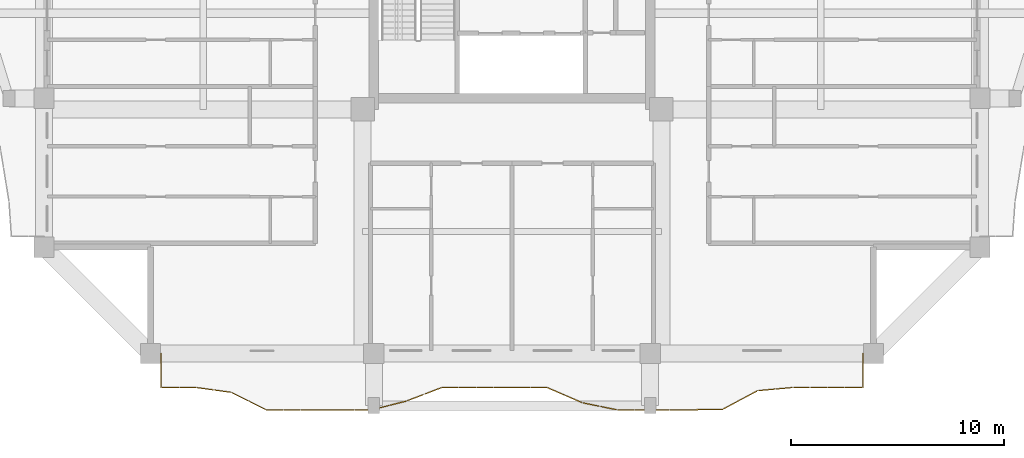
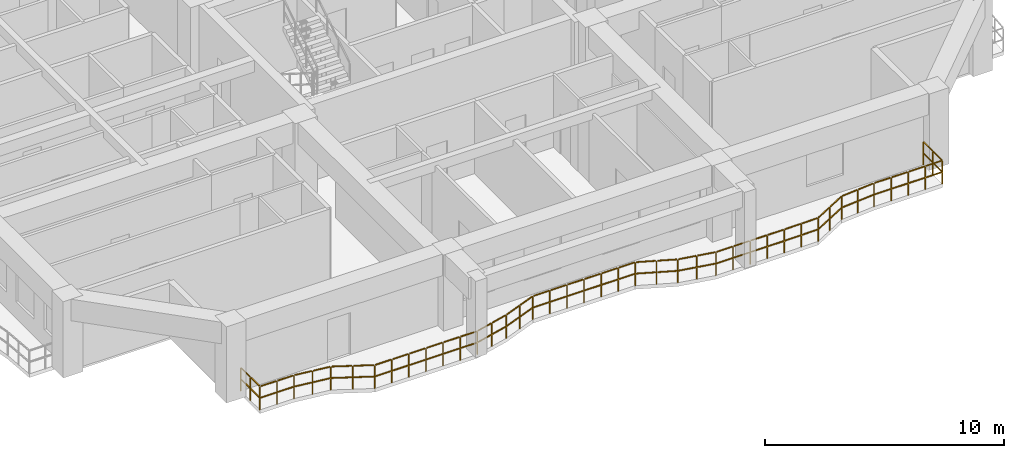
# One storey, part 11 of 15: 1 railing.
"""IFC4 building model written with IfcOpenShell, lengths in metres."""

from ifc_helpers import new_model, si_unit, direction, frame, origin, origin_2d, place, context, subcontext, project, spatial, rectangle, extrude, material, type_object, element, save


model = new_model("IFC4")

# Units and contexts
model_context = context("Model", 3, precision=1e-05, world=origin(), true_north=direction((0.0, 1.0)))
body_context = subcontext(model_context, "Body", "Model", "MODEL_VIEW")
ifc_project = project(units=[si_unit("LENGTHUNIT", "METRE"), si_unit("AREAUNIT", "SQUARE_METRE"), si_unit("VOLUMEUNIT", "CUBIC_METRE"), si_unit("PLANEANGLEUNIT", "RADIAN"), si_unit("MASSUNIT", "GRAM", prefix="KILO")], contexts=[model_context])

# Site, building, storey
site_placement = place(None, origin())
site = spatial("IfcSite", under=ifc_project, at=site_placement, CompositionType="ELEMENT")
building_placement = place(site_placement, origin())
building = spatial("IfcBuilding", under=site, at=building_placement, Name="Saelheon Loggia Tower", CompositionType="ELEMENT")
storey_placement = place(building_placement, frame((0.0, 0.0, 159.10009765625)))
storey = spatial("IfcBuildingStorey", under=building, at=storey_placement, Name="L50", CompositionType="ELEMENT", Elevation=159.10009765625)

# Railing
ifc_material = material(Name="Architectural Precast Concrete and Laminated Glass Guard", Category="concrete")
railing_type = type_object("IfcRailingType", Name="Guard_Loggia_RL_LOG", PredefinedType="BALUSTRADE", material=ifc_material)
railing_placement = place(storey_placement, frame((21.5, 6.0, 0.0)))
element("IfcRailing", 1, at=railing_placement, inside=storey, type_object=railing_type, Name="L50 South Loggia Balustrade", PredefinedType="BALUSTRADE", context=body_context, shape_type="SweptSolid", body=[
    extrude(rectangle(XDim=0.048095703125, YDim=0.048095703125, at=origin_2d()), frame((0.0, -0.033203125, 1.19580078125), z_axis=(0.0, -1.0, 0.0), x_axis=(1.0, 0.0, 0.0)), (0.0, 0.0, 1.0), 0.733642578125),
    extrude(rectangle(XDim=0.048095703125, YDim=0.048095703125, at=origin_2d()), frame((0.0, -0.033203125, 0.60986328125), z_axis=(0.0, -1.0, 0.0), x_axis=(1.0, 0.0, 0.0)), (0.0, 0.0, 1.0), 0.733642578125),
    extrude(rectangle(XDim=0.048095703125, YDim=0.048095703125, at=origin_2d()), frame((0.0, -0.833251953125, 1.19580078125), z_axis=(0.0, -1.0, 0.0), x_axis=(1.0, 0.0, 0.0)), (0.0, 0.0, 1.0), 0.733642578125),
    extrude(rectangle(XDim=0.048095703125, YDim=0.048095703125, at=origin_2d()), frame((0.0, -0.833251953125, 0.60986328125), z_axis=(0.0, -1.0, 0.0), x_axis=(1.0, 0.0, 0.0)), (0.0, 0.0, 1.0), 0.733642578125),
    extrude(rectangle(XDim=0.048095703125, YDim=0.048095703125, at=origin_2d()), frame((0.033203125, -1.60009765625, 1.19580078125), z_axis=(1.0, 0.0, 0.0), x_axis=(0.0, 1.0, 0.0)), (0.0, 0.0, 1.0), 0.758544921875),
    extrude(rectangle(XDim=0.048095703125, YDim=0.048095703125, at=origin_2d()), frame((0.033203125, -1.60009765625, 0.60986328125), z_axis=(1.0, 0.0, 0.0), x_axis=(0.0, 1.0, 0.0)), (0.0, 0.0, 1.0), 0.758544921875),
    extrude(rectangle(XDim=0.048095703125, YDim=0.048095703125, at=origin_2d()), frame((0.858154296875, -1.60009765625, 1.19580078125), z_axis=(1.0, 0.0, 0.0), x_axis=(0.0, 1.0, 0.0)), (0.0, 0.0, 1.0), 0.758544921875),
    extrude(rectangle(XDim=0.048095703125, YDim=0.048095703125, at=origin_2d()), frame((0.858154296875, -1.60009765625, 0.60986328125), z_axis=(1.0, 0.0, 0.0), x_axis=(0.0, 1.0, 0.0)), (0.0, 0.0, 1.0), 0.758544921875),
    extrude(rectangle(XDim=0.048095703125, YDim=0.048095703125, at=origin_2d()), frame((1.682861328125, -1.604736328125, 1.19580078125), z_axis=(0.990686008653, -0.136166193525, 0.0), x_axis=(0.136166193525, 0.990686008653, 0.0)), (0.0, 0.0, 1.0), 0.766357421875),
    extrude(rectangle(XDim=0.048095703125, YDim=0.048095703125, at=origin_2d()), frame((1.682861328125, -1.604736328125, 0.60986328125), z_axis=(0.990686008653, -0.136166193525, 0.0), x_axis=(0.136166193525, 0.990686008653, 0.0)), (0.0, 0.0, 1.0), 0.766357421875),
    extrude(rectangle(XDim=0.048095703125, YDim=0.048095703125, at=origin_2d()), frame((2.5078125, -1.718017578125, 1.19580078125), z_axis=(0.990686008653, -0.136166193525, 0.0), x_axis=(0.136166193525, 0.990686008653, 0.0)), (0.0, 0.0, 1.0), 0.766357421875),
    extrude(rectangle(XDim=0.048095703125, YDim=0.048095703125, at=origin_2d()), frame((2.5078125, -1.718017578125, 0.60986328125), z_axis=(0.990686008653, -0.136166193525, 0.0), x_axis=(0.136166193525, 0.990686008653, 0.0)), (0.0, 0.0, 1.0), 0.766357421875),
    extrude(rectangle(XDim=0.048095703125, YDim=0.048095703125, at=origin_2d()), frame((3.329833984375, -1.841796875, 1.19580078125), z_axis=(0.894850512771, -0.446365948291, 0.0), x_axis=(0.446365948291, 0.894850512771, 0.0)), (0.0, 0.0, 1.0), 0.85546875),
    extrude(rectangle(XDim=0.048095703125, YDim=0.048095703125, at=origin_2d()), frame((3.329833984375, -1.841796875, 0.60986328125), z_axis=(0.894850512771, -0.446365948291, 0.0), x_axis=(0.446365948291, 0.894850512771, 0.0)), (0.0, 0.0, 1.0), 0.85546875),
    extrude(rectangle(XDim=0.048095703125, YDim=0.048095703125, at=origin_2d()), frame((4.15478515625, -2.253173828125, 1.19580078125), z_axis=(0.894850512771, -0.446365948291, 0.0), x_axis=(0.446365948291, 0.894850512771, 0.0)), (0.0, 0.0, 1.0), 0.85546875),
    extrude(rectangle(XDim=0.048095703125, YDim=0.048095703125, at=origin_2d()), frame((4.15478515625, -2.253173828125, 0.60986328125), z_axis=(0.894850512771, -0.446365948291, 0.0), x_axis=(0.446365948291, 0.894850512771, 0.0)), (0.0, 0.0, 1.0), 0.85546875),
    extrude(rectangle(XDim=0.048095703125, YDim=0.048095703125, at=origin_2d()), frame((4.983154296875, -2.64990234375, 1.19580078125), z_axis=(1.0, 0.0, 0.0), x_axis=(0.0, 1.0, 0.0)), (0.0, 0.0, 1.0), 0.758544921875),
    extrude(rectangle(XDim=0.048095703125, YDim=0.048095703125, at=origin_2d()), frame((4.983154296875, -2.64990234375, 0.60986328125), z_axis=(1.0, 0.0, 0.0), x_axis=(0.0, 1.0, 0.0)), (0.0, 0.0, 1.0), 0.758544921875),
    extrude(rectangle(XDim=0.048095703125, YDim=0.048095703125, at=origin_2d()), frame((5.808349609375, -2.64990234375, 1.19580078125), z_axis=(1.0, 0.0, 0.0), x_axis=(0.0, 1.0, 0.0)), (0.0, 0.0, 1.0), 0.758544921875),
    extrude(rectangle(XDim=0.048095703125, YDim=0.048095703125, at=origin_2d()), frame((5.808349609375, -2.64990234375, 0.60986328125), z_axis=(1.0, 0.0, 0.0), x_axis=(0.0, 1.0, 0.0)), (0.0, 0.0, 1.0), 0.758544921875),
    extrude(rectangle(XDim=0.048095703125, YDim=0.048095703125, at=origin_2d()), frame((6.63330078125, -2.64990234375, 1.19580078125), z_axis=(1.0, 0.0, 0.0), x_axis=(0.0, 1.0, 0.0)), (0.0, 0.0, 1.0), 0.758544921875),
    extrude(rectangle(XDim=0.048095703125, YDim=0.048095703125, at=origin_2d()), frame((6.63330078125, -2.64990234375, 0.60986328125), z_axis=(1.0, 0.0, 0.0), x_axis=(0.0, 1.0, 0.0)), (0.0, 0.0, 1.0), 0.758544921875),
    extrude(rectangle(XDim=0.048095703125, YDim=0.048095703125, at=origin_2d()), frame((7.458251953125, -2.64990234375, 1.19580078125), z_axis=(1.0, 0.0, 0.0), x_axis=(0.0, 1.0, 0.0)), (0.0, 0.0, 1.0), 0.758544921875),
    extrude(rectangle(XDim=0.048095703125, YDim=0.048095703125, at=origin_2d()), frame((7.458251953125, -2.64990234375, 0.60986328125), z_axis=(1.0, 0.0, 0.0), x_axis=(0.0, 1.0, 0.0)), (0.0, 0.0, 1.0), 0.758544921875),
    extrude(rectangle(XDim=0.048095703125, YDim=0.048095703125, at=origin_2d()), frame((8.283203125, -2.64990234375, 1.19580078125), z_axis=(1.0, 0.0, 0.0), x_axis=(0.0, 1.0, 0.0)), (0.0, 0.0, 1.0), 0.758544921875),
    extrude(rectangle(XDim=0.048095703125, YDim=0.048095703125, at=origin_2d()), frame((8.283203125, -2.64990234375, 0.60986328125), z_axis=(1.0, 0.0, 0.0), x_axis=(0.0, 1.0, 0.0)), (0.0, 0.0, 1.0), 0.758544921875),
    extrude(rectangle(XDim=0.048095703125, YDim=0.048095703125, at=origin_2d()), frame((9.108154296875, -2.64990234375, 1.19580078125), z_axis=(1.0, 0.0, 0.0), x_axis=(0.0, 1.0, 0.0)), (0.0, 0.0, 1.0), 0.758544921875),
    extrude(rectangle(XDim=0.048095703125, YDim=0.048095703125, at=origin_2d()), frame((9.108154296875, -2.64990234375, 0.60986328125), z_axis=(1.0, 0.0, 0.0), x_axis=(0.0, 1.0, 0.0)), (0.0, 0.0, 1.0), 0.758544921875),
    extrude(rectangle(XDim=0.048095703125, YDim=0.048095703125, at=origin_2d()), frame((9.93212890625, -2.641845703125, 1.19580078125), z_axis=(0.969318689035, 0.245807402427, 0.0), x_axis=(-0.245807402427, 0.969318689035, 0.0)), (0.0, 0.0, 1.0), 0.78466796875),
    extrude(rectangle(XDim=0.048095703125, YDim=0.048095703125, at=origin_2d()), frame((9.93212890625, -2.641845703125, 0.60986328125), z_axis=(0.969318689035, 0.245807402427, 0.0), x_axis=(-0.245807402427, 0.969318689035, 0.0)), (0.0, 0.0, 1.0), 0.78466796875),
    extrude(rectangle(XDim=0.048095703125, YDim=0.048095703125, at=origin_2d()), frame((10.757080078125, -2.4326171875, 1.19580078125), z_axis=(0.969318689035, 0.245807402427, 0.0), x_axis=(-0.245807402427, 0.969318689035, 0.0)), (0.0, 0.0, 1.0), 0.78466796875),
    extrude(rectangle(XDim=0.048095703125, YDim=0.048095703125, at=origin_2d()), frame((10.757080078125, -2.4326171875, 0.60986328125), z_axis=(0.969318689035, 0.245807402427, 0.0), x_axis=(-0.245807402427, 0.969318689035, 0.0)), (0.0, 0.0, 1.0), 0.78466796875),
    extrude(rectangle(XDim=0.048095703125, YDim=0.048095703125, at=origin_2d()), frame((11.5810546875, -2.219482421875, 1.19580078125), z_axis=(0.933956887017, 0.357385692487, 0.0), x_axis=(-0.357385692487, 0.933956887017, 0.0)), (0.0, 0.0, 1.0), 0.81689453125),
    extrude(rectangle(XDim=0.048095703125, YDim=0.048095703125, at=origin_2d()), frame((11.5810546875, -2.219482421875, 0.60986328125), z_axis=(0.933956887017, 0.357385692487, 0.0), x_axis=(-0.357385692487, 0.933956887017, 0.0)), (0.0, 0.0, 1.0), 0.81689453125),
    extrude(rectangle(XDim=0.048095703125, YDim=0.048095703125, at=origin_2d()), frame((12.406005859375, -1.90380859375, 1.19580078125), z_axis=(0.933956887017, 0.357385692487, 0.0), x_axis=(-0.357385692487, 0.933956887017, 0.0)), (0.0, 0.0, 1.0), 0.81689453125),
    extrude(rectangle(XDim=0.048095703125, YDim=0.048095703125, at=origin_2d()), frame((12.406005859375, -1.90380859375, 0.60986328125), z_axis=(0.933956887017, 0.357385692487, 0.0), x_axis=(-0.357385692487, 0.933956887017, 0.0)), (0.0, 0.0, 1.0), 0.81689453125),
    extrude(rectangle(XDim=0.048095703125, YDim=0.048095703125, at=origin_2d()), frame((13.233154296875, -1.60009765625, 1.19580078125), z_axis=(1.0, 0.0, 0.0), x_axis=(0.0, 1.0, 0.0)), (0.0, 0.0, 1.0), 0.758544921875),
    extrude(rectangle(XDim=0.048095703125, YDim=0.048095703125, at=origin_2d()), frame((13.233154296875, -1.60009765625, 0.60986328125), z_axis=(1.0, 0.0, 0.0), x_axis=(0.0, 1.0, 0.0)), (0.0, 0.0, 1.0), 0.758544921875),
    extrude(rectangle(XDim=0.048095703125, YDim=0.048095703125, at=origin_2d()), frame((14.058349609375, -1.60009765625, 1.19580078125), z_axis=(1.0, 0.0, 0.0), x_axis=(0.0, 1.0, 0.0)), (0.0, 0.0, 1.0), 0.758544921875),
    extrude(rectangle(XDim=0.048095703125, YDim=0.048095703125, at=origin_2d()), frame((14.058349609375, -1.60009765625, 0.60986328125), z_axis=(1.0, 0.0, 0.0), x_axis=(0.0, 1.0, 0.0)), (0.0, 0.0, 1.0), 0.758544921875),
    extrude(rectangle(XDim=0.048095703125, YDim=0.048095703125, at=origin_2d()), frame((14.88330078125, -1.60009765625, 1.19580078125), z_axis=(1.0, 0.0, 0.0), x_axis=(0.0, 1.0, 0.0)), (0.0, 0.0, 1.0), 0.758544921875),
    extrude(rectangle(XDim=0.048095703125, YDim=0.048095703125, at=origin_2d()), frame((14.88330078125, -1.60009765625, 0.60986328125), z_axis=(1.0, 0.0, 0.0), x_axis=(0.0, 1.0, 0.0)), (0.0, 0.0, 1.0), 0.758544921875),
    extrude(rectangle(XDim=0.048095703125, YDim=0.048095703125, at=origin_2d()), frame((15.708251953125, -1.60009765625, 1.19580078125), z_axis=(1.0, 0.0, 0.0), x_axis=(0.0, 1.0, 0.0)), (0.0, 0.0, 1.0), 0.758544921875),
    extrude(rectangle(XDim=0.048095703125, YDim=0.048095703125, at=origin_2d()), frame((15.708251953125, -1.60009765625, 0.60986328125), z_axis=(1.0, 0.0, 0.0), x_axis=(0.0, 1.0, 0.0)), (0.0, 0.0, 1.0), 0.758544921875),
    extrude(rectangle(XDim=0.048095703125, YDim=0.048095703125, at=origin_2d()), frame((16.533203125, -1.60009765625, 1.19580078125), z_axis=(1.0, 0.0, 0.0), x_axis=(0.0, 1.0, 0.0)), (0.0, 0.0, 1.0), 0.758544921875),
    extrude(rectangle(XDim=0.048095703125, YDim=0.048095703125, at=origin_2d()), frame((16.533203125, -1.60009765625, 0.60986328125), z_axis=(1.0, 0.0, 0.0), x_axis=(0.0, 1.0, 0.0)), (0.0, 0.0, 1.0), 0.758544921875),
    extrude(rectangle(XDim=0.048095703125, YDim=0.048095703125, at=origin_2d()), frame((17.358154296875, -1.60009765625, 1.19580078125), z_axis=(1.0, 0.0, 0.0), x_axis=(0.0, 1.0, 0.0)), (0.0, 0.0, 1.0), 0.758544921875),
    extrude(rectangle(XDim=0.048095703125, YDim=0.048095703125, at=origin_2d()), frame((17.358154296875, -1.60009765625, 0.60986328125), z_axis=(1.0, 0.0, 0.0), x_axis=(0.0, 1.0, 0.0)), (0.0, 0.0, 1.0), 0.758544921875),
    extrude(rectangle(XDim=0.048095703125, YDim=0.048095703125, at=origin_2d()), frame((18.180419921875, -1.61328125, 1.19580078125), z_axis=(0.918045500157, -0.396475042899, 0.0), x_axis=(0.396475042899, 0.918045500157, 0.0)), (0.0, 0.0, 1.0), 0.832275390625),
    extrude(rectangle(XDim=0.048095703125, YDim=0.048095703125, at=origin_2d()), frame((18.180419921875, -1.61328125, 0.60986328125), z_axis=(0.918045500157, -0.396475042899, 0.0), x_axis=(0.396475042899, 0.918045500157, 0.0)), (0.0, 0.0, 1.0), 0.832275390625),
    extrude(rectangle(XDim=0.048095703125, YDim=0.048095703125, at=origin_2d()), frame((19.00537109375, -1.969482421875, 1.19580078125), z_axis=(0.918045500157, -0.396475042899, 0.0), x_axis=(0.396475042899, 0.918045500157, 0.0)), (0.0, 0.0, 1.0), 0.832275390625),
    extrude(rectangle(XDim=0.048095703125, YDim=0.048095703125, at=origin_2d()), frame((19.00537109375, -1.969482421875, 0.60986328125), z_axis=(0.918045500157, -0.396475042899, 0.0), x_axis=(0.396475042899, 0.918045500157, 0.0)), (0.0, 0.0, 1.0), 0.832275390625),
    extrude(rectangle(XDim=0.048095703125, YDim=0.048095703125, at=origin_2d()), frame((19.83251953125, -2.3193359375, 1.19580078125), z_axis=(0.979752435105, -0.200212801551, 0.0), x_axis=(0.200212801551, 0.979752435105, 0.0)), (0.0, 0.0, 1.0), 0.775634765625),
    extrude(rectangle(XDim=0.048095703125, YDim=0.048095703125, at=origin_2d()), frame((19.83251953125, -2.3193359375, 0.60986328125), z_axis=(0.979752435105, -0.200212801551, 0.0), x_axis=(0.200212801551, 0.979752435105, 0.0)), (0.0, 0.0, 1.0), 0.775634765625),
    extrude(rectangle(XDim=0.048095703125, YDim=0.048095703125, at=origin_2d()), frame((20.657470703125, -2.488037109375, 1.19580078125), z_axis=(0.979752435105, -0.200212801551, 0.0), x_axis=(0.200212801551, 0.979752435105, 0.0)), (0.0, 0.0, 1.0), 0.775634765625),
    extrude(rectangle(XDim=0.048095703125, YDim=0.048095703125, at=origin_2d()), frame((20.657470703125, -2.488037109375, 0.60986328125), z_axis=(0.979752435105, -0.200212801551, 0.0), x_axis=(0.200212801551, 0.979752435105, 0.0)), (0.0, 0.0, 1.0), 0.775634765625),
    extrude(rectangle(XDim=0.048095703125, YDim=0.048095703125, at=origin_2d()), frame((21.483154296875, -2.64990234375, 1.19580078125), z_axis=(1.0, 0.0, 0.0), x_axis=(0.0, 1.0, 0.0)), (0.0, 0.0, 1.0), 0.758544921875),
    extrude(rectangle(XDim=0.048095703125, YDim=0.048095703125, at=origin_2d()), frame((21.483154296875, -2.64990234375, 0.60986328125), z_axis=(1.0, 0.0, 0.0), x_axis=(0.0, 1.0, 0.0)), (0.0, 0.0, 1.0), 0.758544921875),
    extrude(rectangle(XDim=0.048095703125, YDim=0.048095703125, at=origin_2d()), frame((22.308349609375, -2.64990234375, 1.19580078125), z_axis=(1.0, 0.0, 0.0), x_axis=(0.0, 1.0, 0.0)), (0.0, 0.0, 1.0), 0.758544921875),
    extrude(rectangle(XDim=0.048095703125, YDim=0.048095703125, at=origin_2d()), frame((22.308349609375, -2.64990234375, 0.60986328125), z_axis=(1.0, 0.0, 0.0), x_axis=(0.0, 1.0, 0.0)), (0.0, 0.0, 1.0), 0.758544921875),
    extrude(rectangle(XDim=0.048095703125, YDim=0.048095703125, at=origin_2d()), frame((23.13330078125, -2.64990234375, 1.19580078125), z_axis=(1.0, 0.0, 0.0), x_axis=(0.0, 1.0, 0.0)), (0.0, 0.0, 1.0), 0.758544921875),
    extrude(rectangle(XDim=0.048095703125, YDim=0.048095703125, at=origin_2d()), frame((23.13330078125, -2.64990234375, 0.60986328125), z_axis=(1.0, 0.0, 0.0), x_axis=(0.0, 1.0, 0.0)), (0.0, 0.0, 1.0), 0.758544921875),
    extrude(rectangle(XDim=0.048095703125, YDim=0.048095703125, at=origin_2d()), frame((23.958251953125, -2.64990234375, 1.19580078125), z_axis=(1.0, 0.0, 0.0), x_axis=(0.0, 1.0, 0.0)), (0.0, 0.0, 1.0), 0.758544921875),
    extrude(rectangle(XDim=0.048095703125, YDim=0.048095703125, at=origin_2d()), frame((23.958251953125, -2.64990234375, 0.60986328125), z_axis=(1.0, 0.0, 0.0), x_axis=(0.0, 1.0, 0.0)), (0.0, 0.0, 1.0), 0.758544921875),
    extrude(rectangle(XDim=0.048095703125, YDim=0.048095703125, at=origin_2d()), frame((24.783203125, -2.6494140625, 1.19580078125), z_axis=(0.999917145108, 0.012872564609, 0.0), x_axis=(-0.012872564609, 0.999917145108, 0.0)), (0.0, 0.0, 1.0), 0.758544921875),
    extrude(rectangle(XDim=0.048095703125, YDim=0.048095703125, at=origin_2d()), frame((24.783203125, -2.6494140625, 0.60986328125), z_axis=(0.999917145108, 0.012872564609, 0.0), x_axis=(-0.012872564609, 0.999917145108, 0.0)), (0.0, 0.0, 1.0), 0.758544921875),
    extrude(rectangle(XDim=0.048095703125, YDim=0.048095703125, at=origin_2d()), frame((25.608154296875, -2.638916015625, 1.19580078125), z_axis=(0.999917145108, 0.012872564609, 0.0), x_axis=(-0.012872564609, 0.999917145108, 0.0)), (0.0, 0.0, 1.0), 0.758544921875),
    extrude(rectangle(XDim=0.048095703125, YDim=0.048095703125, at=origin_2d()), frame((25.608154296875, -2.638916015625, 0.60986328125), z_axis=(0.999917145108, 0.012872564609, 0.0), x_axis=(-0.012872564609, 0.999917145108, 0.0)), (0.0, 0.0, 1.0), 0.758544921875),
    extrude(rectangle(XDim=0.048095703125, YDim=0.048095703125, at=origin_2d()), frame((26.42919921875, -2.613037109375, 1.19580078125), z_axis=(0.882287890953, 0.470710184166, 0.0), x_axis=(-0.470710184166, 0.882287890953, 0.0)), (0.0, 0.0, 1.0), 0.86865234375),
    extrude(rectangle(XDim=0.048095703125, YDim=0.048095703125, at=origin_2d()), frame((26.42919921875, -2.613037109375, 0.60986328125), z_axis=(0.882287890953, 0.470710184166, 0.0), x_axis=(-0.470710184166, 0.882287890953, 0.0)), (0.0, 0.0, 1.0), 0.86865234375),
    extrude(rectangle(XDim=0.048095703125, YDim=0.048095703125, at=origin_2d()), frame((27.25439453125, -2.1728515625, 1.19580078125), z_axis=(0.882287890953, 0.470710184166, 0.0), x_axis=(-0.470710184166, 0.882287890953, 0.0)), (0.0, 0.0, 1.0), 0.86865234375),
    extrude(rectangle(XDim=0.048095703125, YDim=0.048095703125, at=origin_2d()), frame((27.25439453125, -2.1728515625, 0.60986328125), z_axis=(0.882287890953, 0.470710184166, 0.0), x_axis=(-0.470710184166, 0.882287890953, 0.0)), (0.0, 0.0, 1.0), 0.86865234375),
    extrude(rectangle(XDim=0.048095703125, YDim=0.048095703125, at=origin_2d()), frame((28.083251953125, -1.745361328125, 1.19580078125), z_axis=(0.995990475116, 0.089459339804, 0.0), x_axis=(-0.089459339804, 0.995990475116, 0.0)), (0.0, 0.0, 1.0), 0.76171875),
    extrude(rectangle(XDim=0.048095703125, YDim=0.048095703125, at=origin_2d()), frame((28.083251953125, -1.745361328125, 0.60986328125), z_axis=(0.995990475116, 0.089459339804, 0.0), x_axis=(-0.089459339804, 0.995990475116, 0.0)), (0.0, 0.0, 1.0), 0.76171875),
    extrude(rectangle(XDim=0.048095703125, YDim=0.048095703125, at=origin_2d()), frame((28.908203125, -1.671142578125, 1.19580078125), z_axis=(0.995990475116, 0.089459339804, 0.0), x_axis=(-0.089459339804, 0.995990475116, 0.0)), (0.0, 0.0, 1.0), 0.76171875),
    extrude(rectangle(XDim=0.048095703125, YDim=0.048095703125, at=origin_2d()), frame((28.908203125, -1.671142578125, 0.60986328125), z_axis=(0.995990475116, 0.089459339804, 0.0), x_axis=(-0.089459339804, 0.995990475116, 0.0)), (0.0, 0.0, 1.0), 0.76171875),
    extrude(rectangle(XDim=0.048095703125, YDim=0.048095703125, at=origin_2d()), frame((29.733154296875, -1.60009765625, 1.19580078125), z_axis=(1.0, 0.0, 0.0), x_axis=(0.0, 1.0, 0.0)), (0.0, 0.0, 1.0), 0.758544921875),
    extrude(rectangle(XDim=0.048095703125, YDim=0.048095703125, at=origin_2d()), frame((29.733154296875, -1.60009765625, 0.60986328125), z_axis=(1.0, 0.0, 0.0), x_axis=(0.0, 1.0, 0.0)), (0.0, 0.0, 1.0), 0.758544921875),
    extrude(rectangle(XDim=0.048095703125, YDim=0.048095703125, at=origin_2d()), frame((30.558349609375, -1.60009765625, 1.19580078125), z_axis=(1.0, 0.0, 0.0), x_axis=(0.0, 1.0, 0.0)), (0.0, 0.0, 1.0), 0.758544921875),
    extrude(rectangle(XDim=0.048095703125, YDim=0.048095703125, at=origin_2d()), frame((30.558349609375, -1.60009765625, 0.60986328125), z_axis=(1.0, 0.0, 0.0), x_axis=(0.0, 1.0, 0.0)), (0.0, 0.0, 1.0), 0.758544921875),
    extrude(rectangle(XDim=0.048095703125, YDim=0.048095703125, at=origin_2d()), frame((31.38330078125, -1.60009765625, 1.19580078125), z_axis=(1.0, 0.0, 0.0), x_axis=(0.0, 1.0, 0.0)), (0.0, 0.0, 1.0), 0.758544921875),
    extrude(rectangle(XDim=0.048095703125, YDim=0.048095703125, at=origin_2d()), frame((31.38330078125, -1.60009765625, 0.60986328125), z_axis=(1.0, 0.0, 0.0), x_axis=(0.0, 1.0, 0.0)), (0.0, 0.0, 1.0), 0.758544921875),
    extrude(rectangle(XDim=0.048095703125, YDim=0.048095703125, at=origin_2d()), frame((32.208251953125, -1.60009765625, 1.19580078125), z_axis=(1.0, 0.0, 0.0), x_axis=(0.0, 1.0, 0.0)), (0.0, 0.0, 1.0), 0.758544921875),
    extrude(rectangle(XDim=0.048095703125, YDim=0.048095703125, at=origin_2d()), frame((32.208251953125, -1.60009765625, 0.60986328125), z_axis=(1.0, 0.0, 0.0), x_axis=(0.0, 1.0, 0.0)), (0.0, 0.0, 1.0), 0.758544921875),
    extrude(rectangle(XDim=0.048095703125, YDim=0.048095703125, at=origin_2d()), frame((33.0, -1.56689453125, 1.19580078125), z_axis=(0.0, 1.0, 0.0), x_axis=(-1.0, 0.0, 0.0)), (0.0, 0.0, 1.0), 0.733642578125),
    extrude(rectangle(XDim=0.048095703125, YDim=0.048095703125, at=origin_2d()), frame((33.0, -1.56689453125, 0.60986328125), z_axis=(0.0, 1.0, 0.0), x_axis=(-1.0, 0.0, 0.0)), (0.0, 0.0, 1.0), 0.733642578125),
    extrude(rectangle(XDim=0.048095703125, YDim=0.048095703125, at=origin_2d()), frame((33.0, -0.766845703125, 1.19580078125), z_axis=(0.0, 1.0, 0.0), x_axis=(-1.0, 0.0, 0.0)), (0.0, 0.0, 1.0), 0.733642578125),
    extrude(rectangle(XDim=0.048095703125, YDim=0.048095703125, at=origin_2d()), frame((33.0, -0.766845703125, 0.60986328125), z_axis=(0.0, 1.0, 0.0), x_axis=(-1.0, 0.0, 0.0)), (0.0, 0.0, 1.0), 0.733642578125),
    extrude(rectangle(XDim=0.0419921875, YDim=0.0419921875, at=origin_2d()), origin(), (0.0, 0.0, 1.0), 1.16796875),
    extrude(rectangle(XDim=0.0419921875, YDim=0.0419921875, at=origin_2d()), frame((0.0, -0.800048828125, 0.0)), (0.0, 0.0, 1.0), 1.16796875),
    extrude(rectangle(XDim=0.0419921875, YDim=0.0419921875, at=origin_2d()), frame((0.0, -1.60009765625, 0.0)), (0.0, 0.0, 1.0), 1.16796875),
    extrude(rectangle(XDim=0.0419921875, YDim=0.0419921875, at=origin_2d()), frame((0.824951171875, -1.60009765625, 0.0)), (0.0, 0.0, 1.0), 1.16796875),
    extrude(rectangle(XDim=0.0419921875, YDim=0.0419921875, at=origin_2d()), frame((1.64990234375, -1.60009765625, 0.0)), (0.0, 0.0, 1.0), 1.16796875),
    extrude(rectangle(XDim=0.0419921875, YDim=0.0419921875, at=origin_2d()), frame((2.47509765625, -1.71337890625, 0.0)), (0.0, 0.0, 1.0), 1.16796875),
    extrude(rectangle(XDim=0.0419921875, YDim=0.0419921875, at=origin_2d()), frame((3.300048828125, -1.826904296875, 0.0)), (0.0, 0.0, 1.0), 1.16796875),
    extrude(rectangle(XDim=0.0419921875, YDim=0.0419921875, at=origin_2d()), frame((4.125, -2.23828125, 0.0)), (0.0, 0.0, 1.0), 1.16796875),
    extrude(rectangle(XDim=0.0419921875, YDim=0.0419921875, at=origin_2d()), frame((4.949951171875, -2.64990234375, 0.0)), (0.0, 0.0, 1.0), 1.16796875),
    extrude(rectangle(XDim=0.0419921875, YDim=0.0419921875, at=origin_2d()), frame((5.77490234375, -2.64990234375, 0.0)), (0.0, 0.0, 1.0), 1.16796875),
    extrude(rectangle(XDim=0.0419921875, YDim=0.0419921875, at=origin_2d()), frame((6.60009765625, -2.64990234375, 0.0)), (0.0, 0.0, 1.0), 1.16796875),
    extrude(rectangle(XDim=0.0419921875, YDim=0.0419921875, at=origin_2d()), frame((7.425048828125, -2.64990234375, 0.0)), (0.0, 0.0, 1.0), 1.16796875),
    extrude(rectangle(XDim=0.0419921875, YDim=0.0419921875, at=origin_2d()), frame((8.25, -2.64990234375, 0.0)), (0.0, 0.0, 1.0), 1.16796875),
    extrude(rectangle(XDim=0.0419921875, YDim=0.0419921875, at=origin_2d()), frame((9.074951171875, -2.64990234375, 0.0)), (0.0, 0.0, 1.0), 1.16796875),
    extrude(rectangle(XDim=0.0419921875, YDim=0.0419921875, at=origin_2d()), frame((9.89990234375, -2.64990234375, 0.0)), (0.0, 0.0, 1.0), 1.16796875),
    extrude(rectangle(XDim=0.0419921875, YDim=0.0419921875, at=origin_2d()), frame((10.72509765625, -2.440673828125, 0.0)), (0.0, 0.0, 1.0), 1.16796875),
    extrude(rectangle(XDim=0.0419921875, YDim=0.0419921875, at=origin_2d()), frame((11.550048828125, -2.2314453125, 0.0)), (0.0, 0.0, 1.0), 1.16796875),
    extrude(rectangle(XDim=0.0419921875, YDim=0.0419921875, at=origin_2d()), frame((12.375, -1.915771484375, 0.0)), (0.0, 0.0, 1.0), 1.16796875),
    extrude(rectangle(XDim=0.0419921875, YDim=0.0419921875, at=origin_2d()), frame((13.199951171875, -1.60009765625, 0.0)), (0.0, 0.0, 1.0), 1.16796875),
    extrude(rectangle(XDim=0.0419921875, YDim=0.0419921875, at=origin_2d()), frame((14.02490234375, -1.60009765625, 0.0)), (0.0, 0.0, 1.0), 1.16796875),
    extrude(rectangle(XDim=0.0419921875, YDim=0.0419921875, at=origin_2d()), frame((14.85009765625, -1.60009765625, 0.0)), (0.0, 0.0, 1.0), 1.16796875),
    extrude(rectangle(XDim=0.0419921875, YDim=0.0419921875, at=origin_2d()), frame((15.675048828125, -1.60009765625, 0.0)), (0.0, 0.0, 1.0), 1.16796875),
    extrude(rectangle(XDim=0.0419921875, YDim=0.0419921875, at=origin_2d()), frame((16.5, -1.60009765625, 0.0)), (0.0, 0.0, 1.0), 1.16796875),
    extrude(rectangle(XDim=0.0419921875, YDim=0.0419921875, at=origin_2d()), frame((17.324951171875, -1.60009765625, 0.0)), (0.0, 0.0, 1.0), 1.16796875),
    extrude(rectangle(XDim=0.0419921875, YDim=0.0419921875, at=origin_2d()), frame((18.14990234375, -1.60009765625, 0.0)), (0.0, 0.0, 1.0), 1.16796875),
    extrude(rectangle(XDim=0.0419921875, YDim=0.0419921875, at=origin_2d()), frame((18.97509765625, -1.95654296875, 0.0)), (0.0, 0.0, 1.0), 1.16796875),
    extrude(rectangle(XDim=0.0419921875, YDim=0.0419921875, at=origin_2d()), frame((19.800048828125, -2.312744140625, 0.0)), (0.0, 0.0, 1.0), 1.16796875),
    extrude(rectangle(XDim=0.0419921875, YDim=0.0419921875, at=origin_2d()), frame((20.625, -2.4814453125, 0.0)), (0.0, 0.0, 1.0), 1.16796875),
    extrude(rectangle(XDim=0.0419921875, YDim=0.0419921875, at=origin_2d()), frame((21.449951171875, -2.64990234375, 0.0)), (0.0, 0.0, 1.0), 1.16796875),
    extrude(rectangle(XDim=0.0419921875, YDim=0.0419921875, at=origin_2d()), frame((22.27490234375, -2.64990234375, 0.0)), (0.0, 0.0, 1.0), 1.16796875),
    extrude(rectangle(XDim=0.0419921875, YDim=0.0419921875, at=origin_2d()), frame((23.10009765625, -2.64990234375, 0.0)), (0.0, 0.0, 1.0), 1.16796875),
    extrude(rectangle(XDim=0.0419921875, YDim=0.0419921875, at=origin_2d()), frame((23.925048828125, -2.64990234375, 0.0)), (0.0, 0.0, 1.0), 1.16796875),
    extrude(rectangle(XDim=0.0419921875, YDim=0.0419921875, at=origin_2d()), frame((24.75, -2.64990234375, 0.0)), (0.0, 0.0, 1.0), 1.16796875),
    extrude(rectangle(XDim=0.0419921875, YDim=0.0419921875, at=origin_2d()), frame((25.574951171875, -2.63916015625, 0.0)), (0.0, 0.0, 1.0), 1.16796875),
    extrude(rectangle(XDim=0.0419921875, YDim=0.0419921875, at=origin_2d()), frame((26.39990234375, -2.628662109375, 0.0)), (0.0, 0.0, 1.0), 1.16796875),
    extrude(rectangle(XDim=0.0419921875, YDim=0.0419921875, at=origin_2d()), frame((27.22509765625, -2.1884765625, 0.0)), (0.0, 0.0, 1.0), 1.16796875),
    extrude(rectangle(XDim=0.0419921875, YDim=0.0419921875, at=origin_2d()), frame((28.050048828125, -1.748291015625, 0.0)), (0.0, 0.0, 1.0), 1.16796875),
    extrude(rectangle(XDim=0.0419921875, YDim=0.0419921875, at=origin_2d()), frame((28.875, -1.67431640625, 0.0)), (0.0, 0.0, 1.0), 1.16796875),
    extrude(rectangle(XDim=0.0419921875, YDim=0.0419921875, at=origin_2d()), frame((29.699951171875, -1.60009765625, 0.0)), (0.0, 0.0, 1.0), 1.16796875),
    extrude(rectangle(XDim=0.0419921875, YDim=0.0419921875, at=origin_2d()), frame((30.52490234375, -1.60009765625, 0.0)), (0.0, 0.0, 1.0), 1.16796875),
    extrude(rectangle(XDim=0.0419921875, YDim=0.0419921875, at=origin_2d()), frame((31.35009765625, -1.60009765625, 0.0)), (0.0, 0.0, 1.0), 1.16796875),
    extrude(rectangle(XDim=0.0419921875, YDim=0.0419921875, at=origin_2d()), frame((32.175048828125, -1.60009765625, 0.0)), (0.0, 0.0, 1.0), 1.16796875),
    extrude(rectangle(XDim=0.0419921875, YDim=0.0419921875, at=origin_2d()), frame((33.0, -1.60009765625, 0.0)), (0.0, 0.0, 1.0), 1.16796875),
    extrude(rectangle(XDim=0.0419921875, YDim=0.0419921875, at=origin_2d()), frame((33.0, -0.800048828125, 0.0)), (0.0, 0.0, 1.0), 1.16796875),
    extrude(rectangle(XDim=0.0419921875, YDim=0.0419921875, at=origin_2d()), frame((33.0, 0.0, 0.0)), (0.0, 0.0, 1.0), 1.16796875),
])

save(model, "model.ifc")
